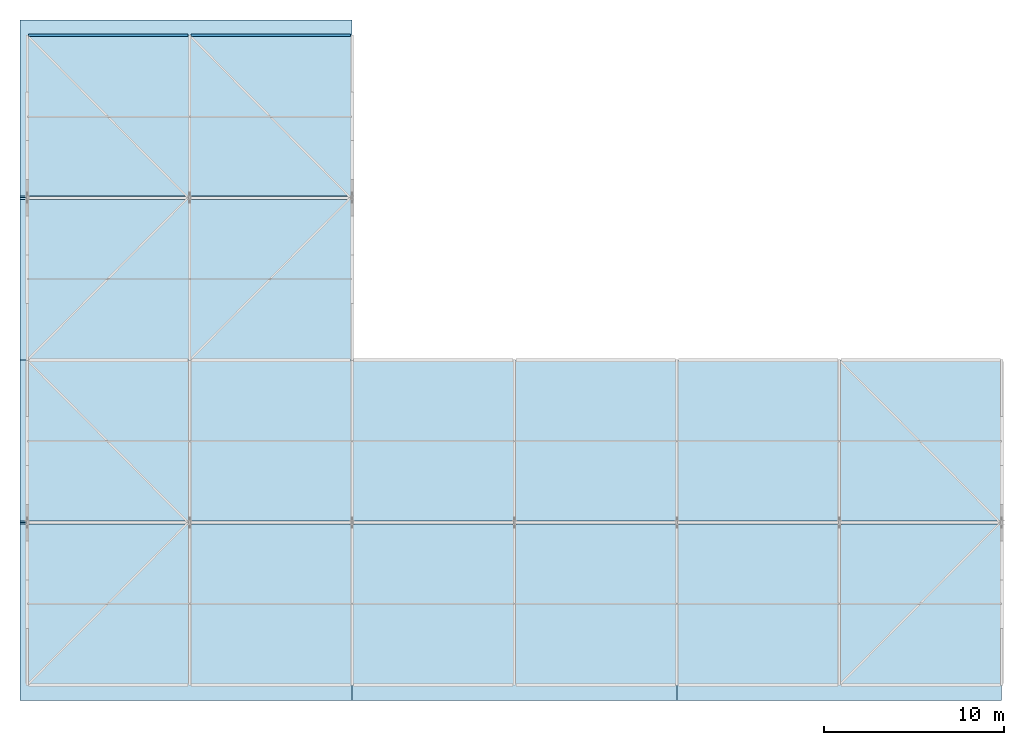
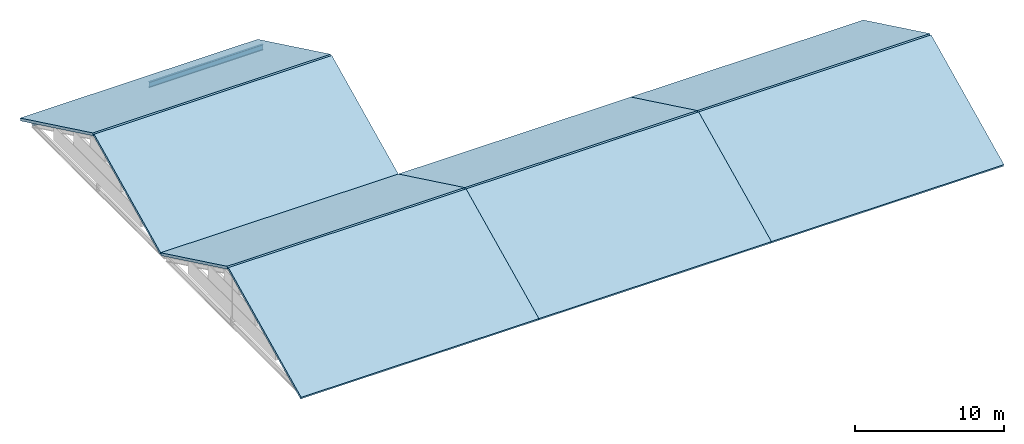
# One storey, part 6 of 9: 8 slabs, 2 beams.
"""IFC4 building model written with IfcOpenShell, lengths in metres."""

from ifc_helpers import new_model, si_unit, direction, frame, origin, origin_2d, place, context, subcontext, project, spatial, polyline, i_section, outline, extrude, material, layer, layer_set, material_profile, profile_set, type_object, element, save


model = new_model("IFC4")

# Units and contexts
model_context = context("Model", 3, precision=1e-05, world=origin(), true_north=direction((0.0, 1.0)))
body_context = subcontext(model_context, "Body", "Model", "MODEL_VIEW")
ifc_project = project(units=[si_unit("LENGTHUNIT", "METRE"), si_unit("AREAUNIT", "SQUARE_METRE"), si_unit("VOLUMEUNIT", "CUBIC_METRE"), si_unit("PLANEANGLEUNIT", "RADIAN"), si_unit("MASSUNIT", "GRAM", prefix="KILO")], contexts=[model_context])

# Site, building, storey
site_placement = place(None, origin())
site = spatial("IfcSite", under=ifc_project, at=site_placement, CompositionType="ELEMENT")
building_placement = place(site_placement, origin())
building = spatial("IfcBuilding", under=site, at=building_placement, Name="Tharagai Park Tramway Depot", CompositionType="ELEMENT")
storey_placement = place(building_placement, frame((0.0, 0.0, 18.0)))
storey = spatial("IfcBuildingStorey", under=building, at=storey_placement, Name="RF", CompositionType="ELEMENT", Elevation=18.0)

# Beams
ifc_material_1 = material(Name="Steel E350", Category="steel")
ifc_material_profile = material_profile(ifc_material_1, i_section(OverallWidth=0.14990234375, OverallDepth=0.449951171875, WebThickness=0.009521484375, FlangeThickness=0.017333984375, FilletRadius=0.014892578125, at=origin_2d()), Name="ISMB 450")
ifc_profile_set = profile_set([ifc_material_profile], Name="Steel E350")
beam_type = type_object("IfcBeamType", Name="BM-02", PredefinedType="BEAM", material=ifc_profile_set)
for number, where, z_axis, x_axis, name in (
    (1, (0.080078125, 36.0, -0.47509765625), (1.0, 0.0, 0.0), (0.0, 1.0, 0.0), "V4W Roof Eave Girder BM-02"),
    (2, (9.080078125, 36.0, -0.47509765625), (1.0, 0.0, 0.0), (0.0, 1.0, 0.0), "V4W Roof Eave Girder BM-02"),
):
    element("IfcBeam", number, at=place(storey_placement, frame(where, z_axis=z_axis, x_axis=x_axis)), inside=storey, type_object=beam_type, Name=name, PredefinedType="BEAM", context=body_context, shape_type="SweptSolid", body=[
        extrude(i_section(OverallWidth=0.14990234375, OverallDepth=0.449951171875, WebThickness=0.009521484375, FlangeThickness=0.017333984375, FilletRadius=0.014892578125, at=origin_2d()), origin(), (0.0, 0.0, 1.0), 8.83984375),
    ])

# Slabs
ifc_material_2 = material(Name="Concrete M35", Category="concrete")
ifc_layer = layer(ifc_material_2, 0.2099609375)
ifc_layer_set = layer_set([ifc_layer], Name="Concrete M35")
slab_type = type_object("IfcSlabType", Name="RS-01", PredefinedType="ROOF", material=ifc_layer_set)
slab_1_placement = place(storey_placement, frame((-0.39990234375, -0.85009765625, -0.405517578125), z_axis=(0.0, -0.433739040085, 0.901038536971), x_axis=(1.0, 0.0, 0.0)))
element("IfcSlab", 3, at=slab_1_placement, inside=storey, type_object=slab_type, Name="V4S South Pitched Roof Slab 1", PredefinedType="ROOF", context=body_context, shape_type="SweptSolid", body=[
    extrude(outline(polyline([(0.0, 0.0), (18.39990234375, 0.0), (18.39990234375, 10.831955976530745), (0.0, 10.831955976530745), (0.0, 0.0)])), origin(), (0.0, 0.0, -1.0), 0.2099609375),
])
slab_2_placement = place(storey_placement, frame((18.0, 18.0, 0.0), z_axis=(0.0, 0.434042721317, 0.900892288829), x_axis=(-1.0, 0.0, 0.0)))
element("IfcSlab", 4, at=slab_2_placement, inside=storey, type_object=slab_type, Name="V4S North Pitched Roof Slab 1", PredefinedType="ROOF", context=body_context, shape_type="SweptSolid", body=[
    extrude(outline(polyline([(0.0, 0.0), (18.39990234375, 0.0), (18.39990234375, 9.890096984798532), (0.0, 9.890096984798532), (0.0, 0.0)])), origin(), (0.0, 0.0, -1.0), 0.2099609375),
])
slab_3_placement = place(storey_placement, frame((18.0, -0.85009765625, -0.405517578125), z_axis=(0.0, -0.433739040085, 0.901038536971), x_axis=(1.0, 0.0, 0.0)))
element("IfcSlab", 5, at=slab_3_placement, inside=storey, type_object=slab_type, Name="V4S South Pitched Roof Slab 2", PredefinedType="ROOF", context=body_context, shape_type="SweptSolid", body=[
    extrude(outline(polyline([(0.0, 0.0), (18.0, 0.0), (18.0, 10.831955976530747), (0.0, 10.831955976530747), (0.0, 0.0)])), origin(), (0.0, 0.0, -1.0), 0.2099609375),
])
slab_4_placement = place(storey_placement, frame((36.0, 18.0, 0.0), z_axis=(0.0, 0.434042721317, 0.900892288829), x_axis=(-1.0, 0.0, 0.0)))
element("IfcSlab", 6, at=slab_4_placement, inside=storey, type_object=slab_type, Name="V4S North Pitched Roof Slab 2", PredefinedType="ROOF", context=body_context, shape_type="SweptSolid", body=[
    extrude(outline(polyline([(0.0, 0.0), (18.0, 0.0), (18.0, 9.89009698479853), (0.0, 9.89009698479853), (0.0, 0.0)])), origin(), (0.0, 0.0, -1.0), 0.2099609375),
])
slab_5_placement = place(storey_placement, frame((36.0, -0.85009765625, -0.405517578125), z_axis=(0.0, -0.433739040085, 0.901038536971), x_axis=(1.0, 0.0, 0.0)))
element("IfcSlab", 7, at=slab_5_placement, inside=storey, type_object=slab_type, Name="V4S South Pitched Roof Slab 3", PredefinedType="ROOF", context=body_context, shape_type="SweptSolid", body=[
    extrude(outline(polyline([(0.0, 0.0), (18.0, 0.0), (18.0, 10.831955976530747), (0.0, 10.831955976530747), (0.0, 0.0)])), origin(), (0.0, 0.0, -1.0), 0.2099609375),
])
slab_6_placement = place(storey_placement, frame((54.0, 18.0, 0.0), z_axis=(0.0, 0.434042721317, 0.900892288829), x_axis=(-1.0, 0.0, 0.0)))
element("IfcSlab", 8, at=slab_6_placement, inside=storey, type_object=slab_type, Name="V4S North Pitched Roof Slab 3", PredefinedType="ROOF", context=body_context, shape_type="SweptSolid", body=[
    extrude(outline(polyline([(0.0, 0.0), (18.0, 0.0), (18.0, 9.89009698479853), (0.0, 9.89009698479853), (0.0, 0.0)])), origin(), (0.0, 0.0, -1.0), 0.2099609375),
])
slab_7_placement = place(storey_placement, frame((-0.39990234375, 18.0, 0.0), z_axis=(0.0, -0.434042721317, 0.900892288829), x_axis=(1.0, 0.0, 0.0)))
element("IfcSlab", 9, at=slab_7_placement, inside=storey, type_object=slab_type, Name="V4W South Pitched Roof Slab 1", PredefinedType="ROOF", context=body_context, shape_type="SweptSolid", body=[
    extrude(outline(polyline([(0.0, 0.0), (18.39990234375, 0.0), (18.39990234375, 9.890096984798532), (0.0, 9.890096984798532), (0.0, 0.0)])), origin(), (0.0, 0.0, -1.0), 0.2099609375),
])
slab_8_placement = place(storey_placement, frame((18.0, 36.85009765625, -0.405517578125), z_axis=(0.0, 0.433739040085, 0.901038536971), x_axis=(-1.0, 0.0, 0.0)))
element("IfcSlab", 10, at=slab_8_placement, inside=storey, type_object=slab_type, Name="V4W North Pitched Roof Slab 1", PredefinedType="ROOF", context=body_context, shape_type="SweptSolid", body=[
    extrude(outline(polyline([(0.0, 0.0), (18.39990234375, 0.0), (18.39990234375, 10.831955976530745), (0.0, 10.831955976530745), (0.0, 0.0)])), origin(), (0.0, 0.0, -1.0), 0.2099609375),
])

save(model, "model.ifc")
